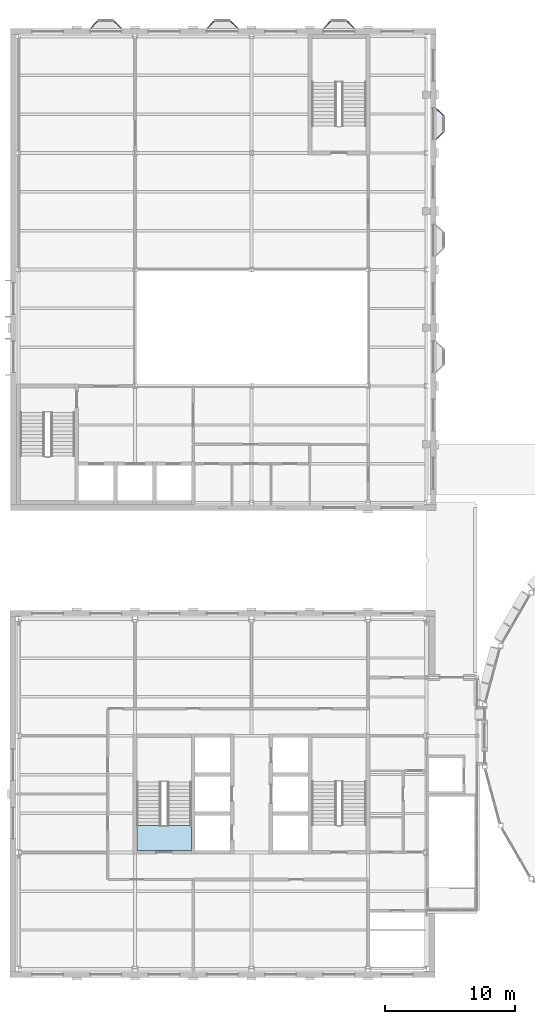
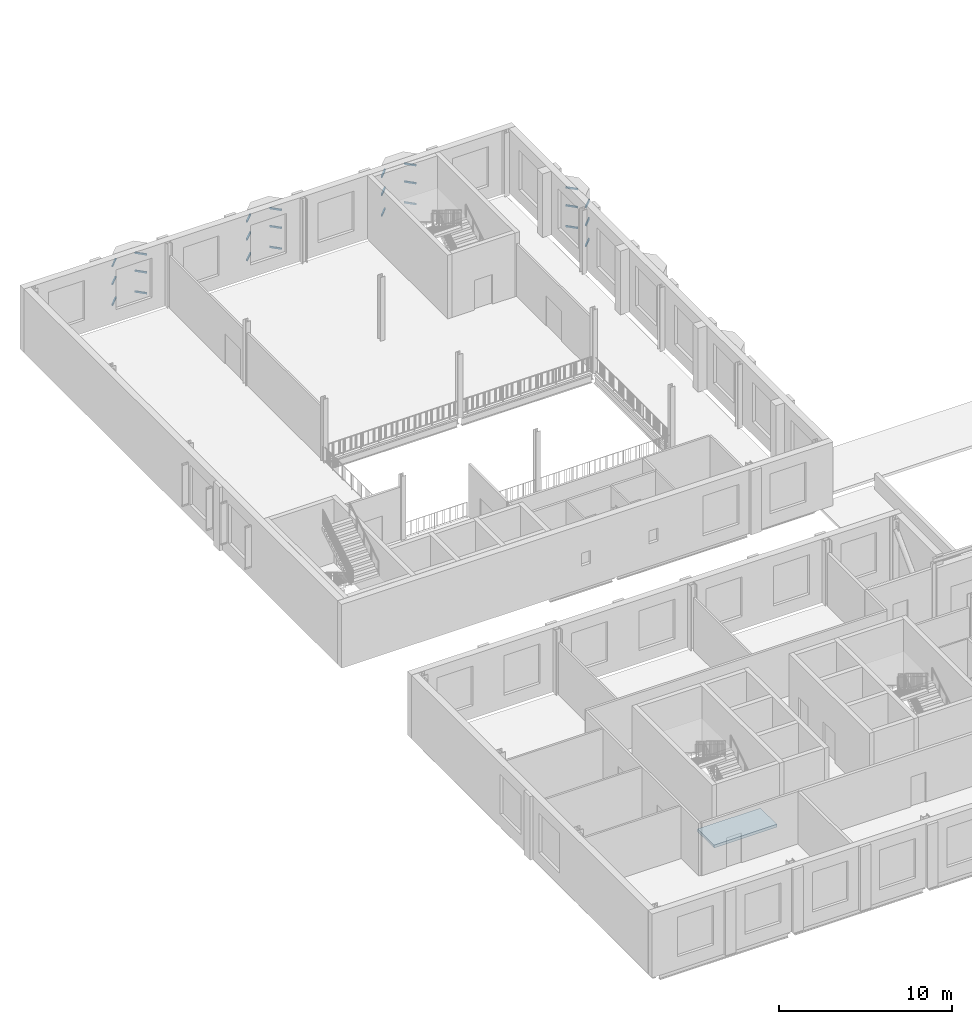
# One storey, part 29 of 74: 24 members, 1 slab, 8 elements without a shape of their own.
"""IFC4 building model written with IfcOpenShell, lengths in metres."""

from ifc_helpers import new_model, si_unit, direction, frame, origin, origin_2d, place, context, subcontext, project, spatial, polyline, rectangle, outline, extrude, material, layer, layer_set, material_profile, profile_set, type_object, element, aggregate, save


model = new_model("IFC4")

# Units and contexts
model_context = context("Model", 3, precision=1e-05, world=origin(), true_north=direction((0.0, 1.0)))
body_context = subcontext(model_context, "Body", "Model", "MODEL_VIEW")
ifc_project = project(units=[si_unit("LENGTHUNIT", "METRE"), si_unit("AREAUNIT", "SQUARE_METRE"), si_unit("VOLUMEUNIT", "CUBIC_METRE"), si_unit("PLANEANGLEUNIT", "RADIAN"), si_unit("MASSUNIT", "GRAM", prefix="KILO")], contexts=[model_context])

# Site, building, storey
site_placement = place(None, origin())
site = spatial("IfcSite", under=ifc_project, at=site_placement, CompositionType="ELEMENT")
building_placement = place(site_placement, origin())
building = spatial("IfcBuilding", under=site, at=building_placement, Name="Hortulan Conservatory and Botanical Research Centre", CompositionType="ELEMENT")
storey_placement = place(building_placement, frame((0.0, 0.0, 6.0)))
storey = spatial("IfcBuildingStorey", under=building, at=storey_placement, Name="L01", CompositionType="ELEMENT", Elevation=6.0)

# Curtain wall, members
ifc_material_1 = material(Name="Bronze-finished aluminium", Category="aluminium")
ifc_layer_1 = layer(ifc_material_1, 0.10009765625)
ifc_layer_set_1 = layer_set([ifc_layer_1], Name="Oriel Curtain Wall 1350 module")
curtain_wall_type = type_object("IfcCurtainWallType", Name="Oriel Curtain Wall 1350 module", PredefinedType="NOTDEFINED", material=ifc_layer_set_1)
curtain_wall_1_placement = place(storey_placement, origin())
curtain_wall_1 = element("IfcCurtainWall", 1, at=curtain_wall_1_placement, inside=storey, type_object=curtain_wall_type, Name="Oriel glazing", PredefinedType="NOTDEFINED")
ifc_material_profile = material_profile(ifc_material_1, rectangle(XDim=0.06005859375, YDim=0.1201171875, at=origin_2d()), Name="Bronze Transom 60x120")
ifc_profile_set = profile_set([ifc_material_profile], Name="Bronze-finished aluminium")
member_type = type_object("IfcMemberType", Name="Bronze Transom 60x120", PredefinedType="USERDEFINED", material=ifc_profile_set)
member_1_placement = place(storey_placement, frame((5.592529296875, 72.65283203125, 0.929931640625), z_axis=(0.707106781187, 0.707106781187, 0.0), x_axis=(-0.707106781187, 0.707106781187, 0.0)))
member_1 = element("IfcMember", 2, at=member_1_placement, type_object=member_type, Name="CW2 transom 1.1", ObjectType="TRANSOM", PredefinedType="USERDEFINED", context=body_context, shape_type="SweptSolid", body=[
    extrude(rectangle(XDim=0.06005859375, YDim=0.1201171875, at=origin_2d()), origin(), (0.0, 0.0, 1.0), 0.728515625),
])
member_2_placement = place(storey_placement, frame((5.592529296875, 72.65283203125, 2.39990234375), z_axis=(0.707106781187, 0.707106781187, 0.0), x_axis=(-0.707106781187, 0.707106781187, 0.0)))
member_2 = element("IfcMember", 3, at=member_2_placement, type_object=member_type, Name="CW2 transom 1.2", ObjectType="TRANSOM", PredefinedType="USERDEFINED", context=body_context, shape_type="SweptSolid", body=[
    extrude(rectangle(XDim=0.06005859375, YDim=0.1201171875, at=origin_2d()), origin(), (0.0, 0.0, 1.0), 0.728515625),
])
member_3_placement = place(storey_placement, frame((5.592529296875, 72.65283203125, 3.669921875), z_axis=(0.707106781187, 0.707106781187, 0.0), x_axis=(-0.707106781187, 0.707106781187, 0.0)))
member_3 = element("IfcMember", 4, at=member_3_placement, type_object=member_type, Name="CW2 transom 1.3", ObjectType="TRANSOM", PredefinedType="USERDEFINED", context=body_context, shape_type="SweptSolid", body=[
    extrude(rectangle(XDim=0.06005859375, YDim=0.1201171875, at=origin_2d()), origin(), (0.0, 0.0, 1.0), 0.728515625),
])
aggregate(curtain_wall_1, [member_1, member_2, member_3])

curtain_wall_2_placement = place(storey_placement, origin())
curtain_wall_2 = element("IfcCurtainWall", 5, at=curtain_wall_2_placement, inside=storey, type_object=curtain_wall_type, Name="Oriel glazing", PredefinedType="NOTDEFINED")
member_4_placement = place(storey_placement, frame((7.392333984375, 73.16796875, 0.929931640625), z_axis=(0.707106781187, -0.707106781187, 0.0), x_axis=(0.707106781187, 0.707106781187, 0.0)))
member_4 = element("IfcMember", 6, at=member_4_placement, type_object=member_type, Name="CW2 transom 1.1", ObjectType="TRANSOM", PredefinedType="USERDEFINED", context=body_context, shape_type="SweptSolid", body=[
    extrude(rectangle(XDim=0.06005859375, YDim=0.1201171875, at=origin_2d()), origin(), (0.0, 0.0, 1.0), 0.728515625),
])
member_5_placement = place(storey_placement, frame((7.392333984375, 73.16796875, 2.39990234375), z_axis=(0.707106781187, -0.707106781187, 0.0), x_axis=(0.707106781187, 0.707106781187, 0.0)))
member_5 = element("IfcMember", 7, at=member_5_placement, type_object=member_type, Name="CW2 transom 1.2", ObjectType="TRANSOM", PredefinedType="USERDEFINED", context=body_context, shape_type="SweptSolid", body=[
    extrude(rectangle(XDim=0.06005859375, YDim=0.1201171875, at=origin_2d()), origin(), (0.0, 0.0, 1.0), 0.728515625),
])
member_6_placement = place(storey_placement, frame((7.392333984375, 73.16796875, 3.669921875), z_axis=(0.707106781187, -0.707106781187, 0.0), x_axis=(0.707106781187, 0.707106781187, 0.0)))
member_6 = element("IfcMember", 8, at=member_6_placement, type_object=member_type, Name="CW2 transom 1.3", ObjectType="TRANSOM", PredefinedType="USERDEFINED", context=body_context, shape_type="SweptSolid", body=[
    extrude(rectangle(XDim=0.06005859375, YDim=0.1201171875, at=origin_2d()), origin(), (0.0, 0.0, 1.0), 0.728515625),
])
aggregate(curtain_wall_2, [member_4, member_5, member_6])

curtain_wall_3_placement = place(storey_placement, origin())
curtain_wall_3 = element("IfcCurtainWall", 9, at=curtain_wall_3_placement, inside=storey, type_object=curtain_wall_type, Name="Oriel glazing", PredefinedType="NOTDEFINED")
member_7_placement = place(storey_placement, frame((14.592529296875, 72.65283203125, 0.929931640625), z_axis=(0.707106781187, 0.707106781187, 0.0), x_axis=(-0.707106781187, 0.707106781187, 0.0)))
member_7 = element("IfcMember", 10, at=member_7_placement, type_object=member_type, Name="CW2 transom 1.1", ObjectType="TRANSOM", PredefinedType="USERDEFINED", context=body_context, shape_type="SweptSolid", body=[
    extrude(rectangle(XDim=0.06005859375, YDim=0.1201171875, at=origin_2d()), origin(), (0.0, 0.0, 1.0), 0.728515625),
])
member_8_placement = place(storey_placement, frame((14.592529296875, 72.65283203125, 2.39990234375), z_axis=(0.707106781187, 0.707106781187, 0.0), x_axis=(-0.707106781187, 0.707106781187, 0.0)))
member_8 = element("IfcMember", 11, at=member_8_placement, type_object=member_type, Name="CW2 transom 1.2", ObjectType="TRANSOM", PredefinedType="USERDEFINED", context=body_context, shape_type="SweptSolid", body=[
    extrude(rectangle(XDim=0.06005859375, YDim=0.1201171875, at=origin_2d()), origin(), (0.0, 0.0, 1.0), 0.728515625),
])
member_9_placement = place(storey_placement, frame((14.592529296875, 72.65283203125, 3.669921875), z_axis=(0.707106781187, 0.707106781187, 0.0), x_axis=(-0.707106781187, 0.707106781187, 0.0)))
member_9 = element("IfcMember", 12, at=member_9_placement, type_object=member_type, Name="CW2 transom 1.3", ObjectType="TRANSOM", PredefinedType="USERDEFINED", context=body_context, shape_type="SweptSolid", body=[
    extrude(rectangle(XDim=0.06005859375, YDim=0.1201171875, at=origin_2d()), origin(), (0.0, 0.0, 1.0), 0.728515625),
])
aggregate(curtain_wall_3, [member_7, member_8, member_9])

curtain_wall_4_placement = place(storey_placement, origin())
curtain_wall_4 = element("IfcCurtainWall", 13, at=curtain_wall_4_placement, inside=storey, type_object=curtain_wall_type, Name="Oriel glazing", PredefinedType="NOTDEFINED")
member_10_placement = place(storey_placement, frame((16.392333984375, 73.16796875, 0.929931640625), z_axis=(0.707106781187, -0.707106781187, 0.0), x_axis=(0.707106781187, 0.707106781187, 0.0)))
member_10 = element("IfcMember", 14, at=member_10_placement, type_object=member_type, Name="CW2 transom 1.1", ObjectType="TRANSOM", PredefinedType="USERDEFINED", context=body_context, shape_type="SweptSolid", body=[
    extrude(rectangle(XDim=0.06005859375, YDim=0.1201171875, at=origin_2d()), origin(), (0.0, 0.0, 1.0), 0.728515625),
])
member_11_placement = place(storey_placement, frame((16.392333984375, 73.16796875, 2.39990234375), z_axis=(0.707106781187, -0.707106781187, 0.0), x_axis=(0.707106781187, 0.707106781187, 0.0)))
member_11 = element("IfcMember", 15, at=member_11_placement, type_object=member_type, Name="CW2 transom 1.2", ObjectType="TRANSOM", PredefinedType="USERDEFINED", context=body_context, shape_type="SweptSolid", body=[
    extrude(rectangle(XDim=0.06005859375, YDim=0.1201171875, at=origin_2d()), origin(), (0.0, 0.0, 1.0), 0.728515625),
])
member_12_placement = place(storey_placement, frame((16.392333984375, 73.16796875, 3.669921875), z_axis=(0.707106781187, -0.707106781187, 0.0), x_axis=(0.707106781187, 0.707106781187, 0.0)))
member_12 = element("IfcMember", 16, at=member_12_placement, type_object=member_type, Name="CW2 transom 1.3", ObjectType="TRANSOM", PredefinedType="USERDEFINED", context=body_context, shape_type="SweptSolid", body=[
    extrude(rectangle(XDim=0.06005859375, YDim=0.1201171875, at=origin_2d()), origin(), (0.0, 0.0, 1.0), 0.728515625),
])
aggregate(curtain_wall_4, [member_10, member_11, member_12])

curtain_wall_5_placement = place(storey_placement, origin())
curtain_wall_5 = element("IfcCurtainWall", 17, at=curtain_wall_5_placement, inside=storey, type_object=curtain_wall_type, Name="Oriel glazing", PredefinedType="NOTDEFINED")
member_13_placement = place(storey_placement, frame((23.592529296875, 72.65283203125, 0.929931640625), z_axis=(0.707106781187, 0.707106781187, 0.0), x_axis=(-0.707106781187, 0.707106781187, 0.0)))
member_13 = element("IfcMember", 18, at=member_13_placement, type_object=member_type, Name="CW2 transom 1.1", ObjectType="TRANSOM", PredefinedType="USERDEFINED", context=body_context, shape_type="SweptSolid", body=[
    extrude(rectangle(XDim=0.06005859375, YDim=0.1201171875, at=origin_2d()), origin(), (0.0, 0.0, 1.0), 0.728515625),
])
member_14_placement = place(storey_placement, frame((23.592529296875, 72.65283203125, 2.39990234375), z_axis=(0.707106781187, 0.707106781187, 0.0), x_axis=(-0.707106781187, 0.707106781187, 0.0)))
member_14 = element("IfcMember", 19, at=member_14_placement, type_object=member_type, Name="CW2 transom 1.2", ObjectType="TRANSOM", PredefinedType="USERDEFINED", context=body_context, shape_type="SweptSolid", body=[
    extrude(rectangle(XDim=0.06005859375, YDim=0.1201171875, at=origin_2d()), origin(), (0.0, 0.0, 1.0), 0.728515625),
])
member_15_placement = place(storey_placement, frame((23.592529296875, 72.65283203125, 3.669921875), z_axis=(0.707106781187, 0.707106781187, 0.0), x_axis=(-0.707106781187, 0.707106781187, 0.0)))
member_15 = element("IfcMember", 20, at=member_15_placement, type_object=member_type, Name="CW2 transom 1.3", ObjectType="TRANSOM", PredefinedType="USERDEFINED", context=body_context, shape_type="SweptSolid", body=[
    extrude(rectangle(XDim=0.06005859375, YDim=0.1201171875, at=origin_2d()), origin(), (0.0, 0.0, 1.0), 0.728515625),
])
aggregate(curtain_wall_5, [member_13, member_14, member_15])

curtain_wall_6_placement = place(storey_placement, origin())
curtain_wall_6 = element("IfcCurtainWall", 21, at=curtain_wall_6_placement, inside=storey, type_object=curtain_wall_type, Name="Oriel glazing", PredefinedType="NOTDEFINED")
member_16_placement = place(storey_placement, frame((25.392333984375, 73.16796875, 0.929931640625), z_axis=(0.707106781187, -0.707106781187, 0.0), x_axis=(0.707106781187, 0.707106781187, 0.0)))
member_16 = element("IfcMember", 22, at=member_16_placement, type_object=member_type, Name="CW2 transom 1.1", ObjectType="TRANSOM", PredefinedType="USERDEFINED", context=body_context, shape_type="SweptSolid", body=[
    extrude(rectangle(XDim=0.06005859375, YDim=0.1201171875, at=origin_2d()), origin(), (0.0, 0.0, 1.0), 0.728515625),
])
member_17_placement = place(storey_placement, frame((25.392333984375, 73.16796875, 2.39990234375), z_axis=(0.707106781187, -0.707106781187, 0.0), x_axis=(0.707106781187, 0.707106781187, 0.0)))
member_17 = element("IfcMember", 23, at=member_17_placement, type_object=member_type, Name="CW2 transom 1.2", ObjectType="TRANSOM", PredefinedType="USERDEFINED", context=body_context, shape_type="SweptSolid", body=[
    extrude(rectangle(XDim=0.06005859375, YDim=0.1201171875, at=origin_2d()), origin(), (0.0, 0.0, 1.0), 0.728515625),
])
member_18_placement = place(storey_placement, frame((25.392333984375, 73.16796875, 3.669921875), z_axis=(0.707106781187, -0.707106781187, 0.0), x_axis=(0.707106781187, 0.707106781187, 0.0)))
member_18 = element("IfcMember", 24, at=member_18_placement, type_object=member_type, Name="CW2 transom 1.3", ObjectType="TRANSOM", PredefinedType="USERDEFINED", context=body_context, shape_type="SweptSolid", body=[
    extrude(rectangle(XDim=0.06005859375, YDim=0.1201171875, at=origin_2d()), origin(), (0.0, 0.0, 1.0), 0.728515625),
])
aggregate(curtain_wall_6, [member_16, member_17, member_18])

curtain_wall_7_placement = place(storey_placement, origin())
curtain_wall_7 = element("IfcCurtainWall", 25, at=curtain_wall_7_placement, inside=storey, type_object=curtain_wall_type, Name="Oriel glazing", PredefinedType="NOTDEFINED")
member_19_placement = place(storey_placement, frame((32.29248046875, 66.407470703125, 0.929931640625), z_axis=(0.707106781187, -0.707106781187, 0.0), x_axis=(0.707106781187, 0.707106781187, 0.0)))
member_19 = element("IfcMember", 26, at=member_19_placement, type_object=member_type, Name="CW2 transom 1.1", ObjectType="TRANSOM", PredefinedType="USERDEFINED", context=body_context, shape_type="SweptSolid", body=[
    extrude(rectangle(XDim=0.06005859375, YDim=0.1201171875, at=origin_2d()), origin(), (0.0, 0.0, 1.0), 0.728515625),
])
member_20_placement = place(storey_placement, frame((32.29248046875, 66.407470703125, 2.39990234375), z_axis=(0.707106781187, -0.707106781187, 0.0), x_axis=(0.707106781187, 0.707106781187, 0.0)))
member_20 = element("IfcMember", 27, at=member_20_placement, type_object=member_type, Name="CW2 transom 1.2", ObjectType="TRANSOM", PredefinedType="USERDEFINED", context=body_context, shape_type="SweptSolid", body=[
    extrude(rectangle(XDim=0.06005859375, YDim=0.1201171875, at=origin_2d()), origin(), (0.0, 0.0, 1.0), 0.728515625),
])
member_21_placement = place(storey_placement, frame((32.29248046875, 66.407470703125, 3.669921875), z_axis=(0.707106781187, -0.707106781187, 0.0), x_axis=(0.707106781187, 0.707106781187, 0.0)))
member_21 = element("IfcMember", 28, at=member_21_placement, type_object=member_type, Name="CW2 transom 1.3", ObjectType="TRANSOM", PredefinedType="USERDEFINED", context=body_context, shape_type="SweptSolid", body=[
    extrude(rectangle(XDim=0.06005859375, YDim=0.1201171875, at=origin_2d()), origin(), (0.0, 0.0, 1.0), 0.728515625),
])
aggregate(curtain_wall_7, [member_19, member_20, member_21])

curtain_wall_8_placement = place(storey_placement, origin())
curtain_wall_8 = element("IfcCurtainWall", 29, at=curtain_wall_8_placement, inside=storey, type_object=curtain_wall_type, Name="Oriel glazing", PredefinedType="NOTDEFINED")
member_22_placement = place(storey_placement, frame((32.8076171875, 64.607666015625, 0.929931640625), z_axis=(-0.707106781187, -0.707106781187, 0.0), x_axis=(0.707106781187, -0.707106781187, 0.0)))
member_22 = element("IfcMember", 30, at=member_22_placement, type_object=member_type, Name="CW2 transom 1.1", ObjectType="TRANSOM", PredefinedType="USERDEFINED", context=body_context, shape_type="SweptSolid", body=[
    extrude(rectangle(XDim=0.06005859375, YDim=0.1201171875, at=origin_2d()), origin(), (0.0, 0.0, 1.0), 0.728515625),
])
member_23_placement = place(storey_placement, frame((32.8076171875, 64.607666015625, 2.39990234375), z_axis=(-0.707106781187, -0.707106781187, 0.0), x_axis=(0.707106781187, -0.707106781187, 0.0)))
member_23 = element("IfcMember", 31, at=member_23_placement, type_object=member_type, Name="CW2 transom 1.2", ObjectType="TRANSOM", PredefinedType="USERDEFINED", context=body_context, shape_type="SweptSolid", body=[
    extrude(rectangle(XDim=0.06005859375, YDim=0.1201171875, at=origin_2d()), origin(), (0.0, 0.0, 1.0), 0.728515625),
])
member_24_placement = place(storey_placement, frame((32.8076171875, 64.607666015625, 3.669921875), z_axis=(-0.707106781187, -0.707106781187, 0.0), x_axis=(0.707106781187, -0.707106781187, 0.0)))
member_24 = element("IfcMember", 32, at=member_24_placement, type_object=member_type, Name="CW2 transom 1.3", ObjectType="TRANSOM", PredefinedType="USERDEFINED", context=body_context, shape_type="SweptSolid", body=[
    extrude(rectangle(XDim=0.06005859375, YDim=0.1201171875, at=origin_2d()), origin(), (0.0, 0.0, 1.0), 0.728515625),
])
aggregate(curtain_wall_8, [member_22, member_23, member_24])

# Slab
ifc_material_2 = material(Name="Concrete N40 (40 MPa, AS 3600)", Category="concrete")
ifc_layer_2 = layer(ifc_material_2, 0.199951171875)
ifc_layer_set_2 = layer_set([ifc_layer_2], Name="Stair Landing 200")
slab_type = type_object("IfcSlabType", Name="Stair Landing 200", PredefinedType="LANDING", material=ifc_layer_set_2)
slab_placement = place(storey_placement, frame((0.0, 0.0, -0.199951171875)))
element("IfcSlab", 33, at=slab_placement, inside=storey, type_object=slab_type, Name="Stair T1 floor landing L01", PredefinedType="LANDING", context=body_context, shape_type="SweptSolid", body=[
    extrude(outline(polyline([(13.35009765625, 9.14990234375), (9.14990234375, 9.14990234375), (9.14990234375, 11.050048828125), (13.35009765625, 11.050048828125), (13.35009765625, 9.14990234375)])), origin(), (0.0, 0.0, 1.0), 0.199951171875),
])

save(model, "model.ifc")
